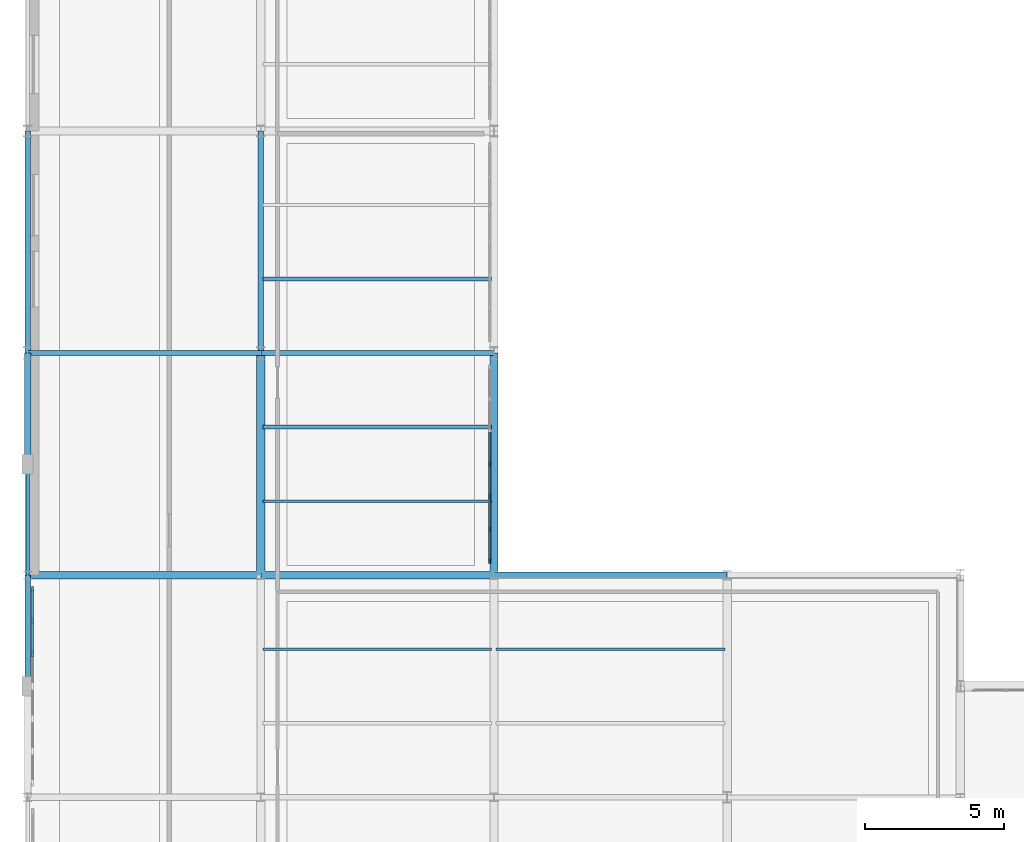
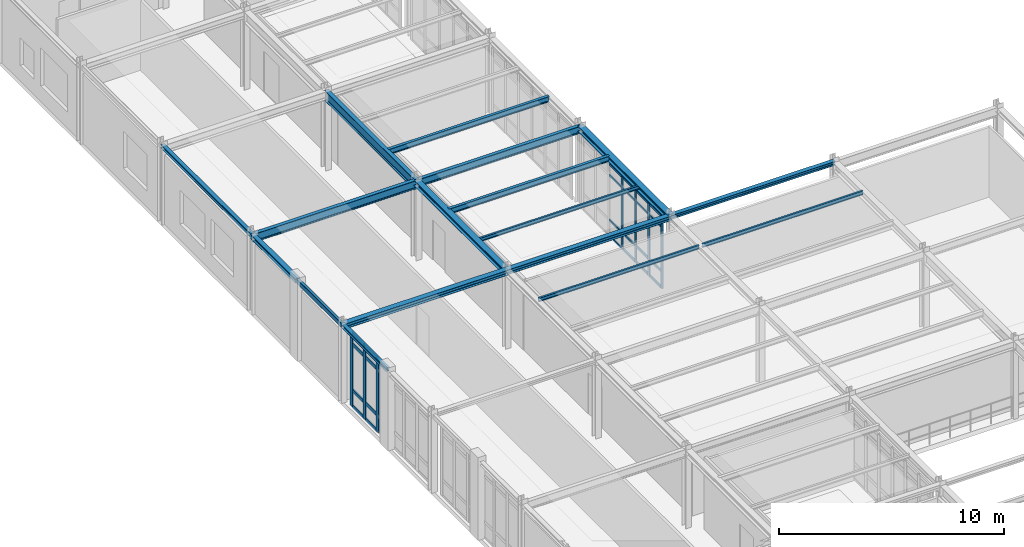
# One storey, part 44 of 106: 31 members, 17 beams, 2 elements without a shape of their own.
"""IFC4 building model written with IfcOpenShell, lengths in metres."""

from ifc_helpers import new_model, si_unit, derived_unit, direction, frame, origin, origin_2d, place, context, subcontext, project, spatial, rectangle, hollow_rectangle, i_section, extrude, material, layer, layer_set, material_profile, profile_set, type_object, element, aggregate, save


model = new_model("IFC4")

# Units and contexts
model_context = context("Model", 3, precision=1e-05, world=origin(), true_north=direction((0.0, 1.0)))
body_context = subcontext(model_context, "Body", "Model", "MODEL_VIEW")
ifc_project = project(units=[si_unit("LENGTHUNIT", "METRE"), si_unit("AREAUNIT", "SQUARE_METRE"), si_unit("VOLUMEUNIT", "CUBIC_METRE"), si_unit("PLANEANGLEUNIT", "RADIAN"), si_unit("MASSUNIT", "GRAM", prefix="KILO"), derived_unit("THERMALTRANSMITTANCEUNIT", [(si_unit("POWERUNIT", "WATT"), 1), (si_unit("AREAUNIT", "SQUARE_METRE"), -1), (si_unit("THERMODYNAMICTEMPERATUREUNIT", "KELVIN"), -1)])], contexts=[model_context])

# Site, building, storey
site_placement = place(None, origin())
site = spatial("IfcSite", under=ifc_project, at=site_placement, CompositionType="ELEMENT")
building_placement = place(site_placement, origin())
building = spatial("IfcBuilding", under=site, at=building_placement, Name="Yasenodar Specialist Clinic", CompositionType="ELEMENT")
storey_placement = place(building_placement, frame((0.0, 0.0, 4.5)))
storey = spatial("IfcBuildingStorey", under=building, at=storey_placement, Name="L01", CompositionType="ELEMENT", Elevation=4.5)

# Beams
ifc_material_1 = material(Name="Steel S355", Category="steel")
ifc_material_profile_1 = material_profile(ifc_material_1, i_section(OverallWidth=0.219970703125, OverallDepth=0.2099609375, WebThickness=0.007080078125, FlangeThickness=0.010986328125, FilletRadius=0.01806640625, at=origin_2d()), Name="HEA 220")
ifc_profile_set_1 = profile_set([ifc_material_profile_1], Name="Steel S355")
beam_type_1 = type_object("IfcBeamType", Name="BM-HEA220", PredefinedType="BEAM", material=ifc_profile_set_1)
beam_1_placement = place(storey_placement, frame((16.800048828125, 66.800048828125, 4.14501953125), z_axis=(1.0, 0.0, 0.0), x_axis=(0.0, 1.0, 0.0)))
element("IfcBeam", 1, at=beam_1_placement, inside=storey, type_object=beam_type_1, Name="L01 Primary E-W Girder", PredefinedType="BEAM", context=body_context, shape_type="SweptSolid", body=[
    extrude(i_section(OverallWidth=0.219970703125, OverallDepth=0.2099609375, WebThickness=0.007080078125, FlangeThickness=0.010986328125, FilletRadius=0.01806640625, at=origin_2d()), origin(), (0.0, 0.0, 1.0), 8.39990234375),
])
ifc_material_profile_2 = material_profile(ifc_material_1, i_section(OverallWidth=0.260009765625, OverallDepth=0.25, WebThickness=0.007568359375, FlangeThickness=0.012451171875, FilletRadius=0.02392578125, at=origin_2d()), Name="HEA 260")
ifc_profile_set_2 = profile_set([ifc_material_profile_2], Name="Steel S355")
beam_type_2 = type_object("IfcBeamType", Name="BM-HEA260", PredefinedType="BEAM", material=ifc_profile_set_2)
beam_2_placement = place(storey_placement, frame((8.39990234375, 66.800048828125, 4.125), z_axis=(1.0, 0.0, 0.0), x_axis=(0.0, 1.0, 0.0)))
element("IfcBeam", 2, at=beam_2_placement, inside=storey, type_object=beam_type_2, Name="L01 Primary E-W Girder", PredefinedType="BEAM", context=body_context, shape_type="SweptSolid", body=[
    extrude(i_section(OverallWidth=0.260009765625, OverallDepth=0.25, WebThickness=0.007568359375, FlangeThickness=0.012451171875, FilletRadius=0.02392578125, at=origin_2d()), origin(), (0.0, 0.0, 1.0), 8.400146484375),
])
ifc_material_profile_3 = material_profile(ifc_material_1, i_section(OverallWidth=0.280029296875, OverallDepth=0.27001953125, WebThickness=0.008056640625, FlangeThickness=0.012939453125, FilletRadius=0.02392578125, at=origin_2d()), Name="HEA 280")
ifc_profile_set_3 = profile_set([ifc_material_profile_3], Name="Steel S355")
beam_type_3 = type_object("IfcBeamType", Name="BM-HEA280", PredefinedType="BEAM", material=ifc_profile_set_3)
beam_3_placement = place(storey_placement, frame((0.0, 66.800048828125, 4.114990234375), z_axis=(1.0, 0.0, 0.0), x_axis=(0.0, 1.0, 0.0)))
element("IfcBeam", 3, at=beam_3_placement, inside=storey, type_object=beam_type_3, Name="L01 Primary E-W Girder", PredefinedType="BEAM", context=body_context, shape_type="SweptSolid", body=[
    extrude(i_section(OverallWidth=0.280029296875, OverallDepth=0.27001953125, WebThickness=0.008056640625, FlangeThickness=0.012939453125, FilletRadius=0.02392578125, at=origin_2d()), origin(), (0.0, 0.0, 1.0), 8.39990234375),
])
ifc_material_profile_4 = material_profile(ifc_material_1, i_section(OverallWidth=0.300048828125, OverallDepth=0.2900390625, WebThickness=0.008544921875, FlangeThickness=0.013916015625, FilletRadius=0.027099609375, at=origin_2d()), Name="HEA 300")
ifc_profile_set_4 = profile_set([ifc_material_profile_4], Name="Steel S355")
beam_type_4 = type_object("IfcBeamType", Name="BM-HEA300", PredefinedType="BEAM", material=ifc_profile_set_4)
beam_4_placement = place(storey_placement, frame((8.39990234375, 66.800048828125, 4.10498046875), z_axis=(0.0, 1.0, 0.0), x_axis=(-1.0, 0.0, 0.0)))
element("IfcBeam", 4, at=beam_4_placement, inside=storey, type_object=beam_type_4, Name="L01 Primary N-S Girder", PredefinedType="BEAM", context=body_context, shape_type="SweptSolid", body=[
    extrude(i_section(OverallWidth=0.300048828125, OverallDepth=0.2900390625, WebThickness=0.008544921875, FlangeThickness=0.013916015625, FilletRadius=0.027099609375, at=origin_2d()), origin(), (0.0, 0.0, 1.0), 8.0),
])
ifc_material_profile_5 = material_profile(ifc_material_1, i_section(OverallWidth=0.300048828125, OverallDepth=0.300048828125, WebThickness=0.010986328125, FlangeThickness=0.01904296875, FilletRadius=0.027099609375, at=origin_2d()), Name="HEB 300")
ifc_profile_set_5 = profile_set([ifc_material_profile_5], Name="Steel S355")
beam_type_5 = type_object("IfcBeamType", Name="BM-HEB300", PredefinedType="BEAM", material=ifc_profile_set_5)
beam_5_placement = place(storey_placement, frame((16.800048828125, 66.800048828125, 4.10009765625), z_axis=(0.0, 1.0, 0.0), x_axis=(-1.0, 0.0, 0.0)))
element("IfcBeam", 5, at=beam_5_placement, inside=storey, type_object=beam_type_5, Name="L01 Primary N-S Girder", PredefinedType="BEAM", context=body_context, shape_type="SweptSolid", body=[
    extrude(i_section(OverallWidth=0.300048828125, OverallDepth=0.300048828125, WebThickness=0.010986328125, FlangeThickness=0.01904296875, FilletRadius=0.027099609375, at=origin_2d()), origin(), (0.0, 0.0, 1.0), 8.0),
])
ifc_material_profile_6 = material_profile(ifc_material_1, i_section(OverallWidth=0.179931640625, OverallDepth=0.39990234375, WebThickness=0.008544921875, FlangeThickness=0.013427734375, FilletRadius=0.02099609375, at=origin_2d()), Name="IPE 400")
ifc_profile_set_6 = profile_set([ifc_material_profile_6], Name="Steel S355")
beam_type_6 = type_object("IfcBeamType", Name="BM-IPE400", PredefinedType="BEAM", material=ifc_profile_set_6)
beam_6_placement = place(storey_placement, frame((8.39990234375, 74.800048828125, 4.050048828125), z_axis=(1.0, 0.0, 0.0), x_axis=(0.0, 1.0, 0.0)))
element("IfcBeam", 6, at=beam_6_placement, inside=storey, type_object=beam_type_6, Name="L01 Primary E-W Girder", PredefinedType="BEAM", context=body_context, shape_type="SweptSolid", body=[
    extrude(i_section(OverallWidth=0.179931640625, OverallDepth=0.39990234375, WebThickness=0.008544921875, FlangeThickness=0.013427734375, FilletRadius=0.02099609375, at=origin_2d()), origin(), (0.0, 0.0, 1.0), 8.400146484375),
])
ifc_material_profile_7 = material_profile(ifc_material_1, i_section(OverallWidth=0.18994140625, OverallDepth=0.449951171875, WebThickness=0.009521484375, FlangeThickness=0.0146484375, FilletRadius=0.02099609375, at=origin_2d()), Name="IPE 450")
ifc_profile_set_7 = profile_set([ifc_material_profile_7], Name="Steel S355")
beam_type_7 = type_object("IfcBeamType", Name="BM-IPE450", PredefinedType="BEAM", material=ifc_profile_set_7)
beam_7_placement = place(storey_placement, frame((0.0, 74.800048828125, 4.02490234375), z_axis=(1.0, 0.0, 0.0), x_axis=(0.0, 1.0, 0.0)))
element("IfcBeam", 7, at=beam_7_placement, inside=storey, type_object=beam_type_7, Name="L01 Primary E-W Girder", PredefinedType="BEAM", context=body_context, shape_type="SweptSolid", body=[
    extrude(i_section(OverallWidth=0.18994140625, OverallDepth=0.449951171875, WebThickness=0.009521484375, FlangeThickness=0.0146484375, FilletRadius=0.02099609375, at=origin_2d()), origin(), (0.0, 0.0, 1.0), 8.39990234375),
])
ifc_material_profile_8 = material_profile(ifc_material_1, i_section(OverallWidth=0.2099609375, OverallDepth=0.550048828125, WebThickness=0.010986328125, FlangeThickness=0.01708984375, FilletRadius=0.02392578125, at=origin_2d()), Name="IPE 550")
ifc_profile_set_8 = profile_set([ifc_material_profile_8], Name="Steel S355")
beam_type_8 = type_object("IfcBeamType", Name="BM-IPE550", PredefinedType="BEAM", material=ifc_profile_set_8)
beam_8_placement = place(storey_placement, frame((8.39990234375, 74.800048828125, 3.97509765625), z_axis=(0.0, 1.0, 0.0), x_axis=(-1.0, 0.0, 0.0)))
element("IfcBeam", 8, at=beam_8_placement, inside=storey, type_object=beam_type_8, Name="L01 Primary N-S Girder", PredefinedType="BEAM", context=body_context, shape_type="SweptSolid", body=[
    extrude(i_section(OverallWidth=0.2099609375, OverallDepth=0.550048828125, WebThickness=0.010986328125, FlangeThickness=0.01708984375, FilletRadius=0.02392578125, at=origin_2d()), origin(), (0.0, 0.0, 1.0), 8.0),
])

# Curtain wall, members
ifc_material_2 = material(Name="Bronze Anodized Aluminium and Triple Low-E Glass", Category="aluminium")
ifc_layer_1 = layer(ifc_material_2, 0.202880859375)
ifc_layer_set_1 = layer_set([ifc_layer_1], Name="Bronze Anodized Aluminium and Triple Low-E Glass")
curtain_wall_type_1 = type_object("IfcCurtainWallType", Name="CW-SYS-04", PredefinedType="USERDEFINED", material=ifc_layer_set_1)
curtain_wall_1_placement = place(storey_placement, origin())
curtain_wall_1 = element("IfcCurtainWall", 9, at=curtain_wall_1_placement, inside=storey, type_object=curtain_wall_type_1, Name="L01 Unitised Curtain Wall 124", ObjectType="UNITISED CURTAIN WALL", PredefinedType="USERDEFINED")
ifc_material_3 = material(Name="Bronze Anodized Aluminium", Category="aluminium")
ifc_material_profile_9 = material_profile(ifc_material_3, rectangle(XDim=0.06005859375, YDim=0.159912109375, at=origin_2d()), Name="CW-MULL 60x160")
ifc_profile_set_9 = profile_set([ifc_material_profile_9], Name="Bronze Anodized Aluminium")
member_type_1 = type_object("IfcMemberType", Name="CW-MULL-160", PredefinedType="MULLION", material=ifc_profile_set_9)
member_1_placement = place(storey_placement, frame((16.64990234375, 70.800048828125, 0.0), z_axis=(0.0, 0.0, 1.0), x_axis=(1.0, 0.0, 0.0)))
member_1 = element("IfcMember", 10, at=member_1_placement, type_object=member_type_1, Name="CW-04 mullion 4", PredefinedType="MULLION", context=body_context, shape_type="SweptSolid", body=[
    extrude(rectangle(XDim=0.06005859375, YDim=0.159912109375, at=origin_2d()), origin(), (0.0, 0.0, 1.0), 3.927978515625),
])
member_2_placement = place(storey_placement, frame((16.64990234375, 69.626708984375, 0.0), z_axis=(0.0, 0.0, 1.0), x_axis=(1.0, 0.0, 0.0)))
member_2 = element("IfcMember", 11, at=member_2_placement, type_object=member_type_1, Name="CW-04 mullion 5", PredefinedType="MULLION", context=body_context, shape_type="SweptSolid", body=[
    extrude(rectangle(XDim=0.06005859375, YDim=0.159912109375, at=origin_2d()), origin(), (0.0, 0.0, 1.0), 3.927978515625),
])
member_3_placement = place(storey_placement, frame((16.64990234375, 68.453369140625, 0.0), z_axis=(0.0, 0.0, 1.0), x_axis=(1.0, 0.0, 0.0)))
member_3 = element("IfcMember", 12, at=member_3_placement, type_object=member_type_1, Name="CW-04 mullion 6", PredefinedType="MULLION", context=body_context, shape_type="SweptSolid", body=[
    extrude(rectangle(XDim=0.06005859375, YDim=0.159912109375, at=origin_2d()), origin(), (0.0, 0.0, 1.0), 3.927978515625),
])
member_4_placement = place(storey_placement, frame((16.64990234375, 67.31005859375, 0.0), z_axis=(0.0, 0.0, 1.0), x_axis=(1.0, 0.0, 0.0)))
member_4 = element("IfcMember", 13, at=member_4_placement, type_object=member_type_1, Name="CW-04 mullion 7", PredefinedType="MULLION", context=body_context, shape_type="SweptSolid", body=[
    extrude(rectangle(XDim=0.06005859375, YDim=0.159912109375, at=origin_2d()), origin(), (0.0, 0.0, 1.0), 3.927978515625),
])

ifc_layer_2 = layer(ifc_material_2, 0.22705078125)
ifc_layer_set_2 = layer_set([ifc_layer_2], Name="Bronze Anodized Aluminium and Triple Low-E Glass")
curtain_wall_type_2 = type_object("IfcCurtainWallType", Name="CW-SYS-06", PredefinedType="USERDEFINED", material=ifc_layer_set_2)
curtain_wall_2_placement = place(storey_placement, origin())
curtain_wall_2 = element("IfcCurtainWall", 14, at=curtain_wall_2_placement, inside=storey, type_object=curtain_wall_type_2, Name="L01 Unitised Curtain Wall 120", ObjectType="UNITISED CURTAIN WALL", PredefinedType="USERDEFINED")
ifc_material_profile_10 = material_profile(ifc_material_3, rectangle(XDim=0.074951171875, YDim=0.22509765625, at=origin_2d()), Name="CW-MULL 75x225")
ifc_profile_set_10 = profile_set([ifc_material_profile_10], Name="Bronze Anodized Aluminium")
member_type_2 = type_object("IfcMemberType", Name="CW-MULL-225", PredefinedType="MULLION", material=ifc_profile_set_10)
member_5_placement = place(storey_placement, frame((0.179931640625, 63.973388671875, 0.0), z_axis=(0.0, 0.0, 1.0), x_axis=(-1.0, 0.0, 0.0)))
member_5 = element("IfcMember", 15, at=member_5_placement, type_object=member_type_2, Name="CW-06 mullion 5", PredefinedType="MULLION", context=body_context, shape_type="SweptSolid", body=[
    extrude(rectangle(XDim=0.074951171875, YDim=0.22509765625, at=origin_2d()), origin(), (0.0, 0.0, 1.0), 3.998046875),
])
member_6_placement = place(storey_placement, frame((0.179931640625, 65.146728515625, 0.0), z_axis=(0.0, 0.0, 1.0), x_axis=(-1.0, 0.0, 0.0)))
member_6 = element("IfcMember", 16, at=member_6_placement, type_object=member_type_2, Name="CW-06 mullion 6", PredefinedType="MULLION", context=body_context, shape_type="SweptSolid", body=[
    extrude(rectangle(XDim=0.074951171875, YDim=0.22509765625, at=origin_2d()), origin(), (0.0, 0.0, 1.0), 3.998046875),
])
member_7_placement = place(storey_placement, frame((0.179931640625, 66.282470703125, 0.0), z_axis=(0.0, 0.0, 1.0), x_axis=(-1.0, 0.0, 0.0)))
member_7 = element("IfcMember", 17, at=member_7_placement, type_object=member_type_2, Name="CW-06 mullion 7", PredefinedType="MULLION", context=body_context, shape_type="SweptSolid", body=[
    extrude(rectangle(XDim=0.074951171875, YDim=0.22509765625, at=origin_2d()), origin(), (0.0, 0.0, 1.0), 3.998046875),
])

# Member
ifc_material_profile_11 = material_profile(ifc_material_3, rectangle(XDim=0.06005859375, YDim=0.1201171875, at=origin_2d()), Name="CW-TRAN 60x120")
ifc_profile_set_11 = profile_set([ifc_material_profile_11], Name="Bronze Anodized Aluminium")
member_type_3 = type_object("IfcMemberType", Name="CW-TRAN-120", PredefinedType="USERDEFINED", material=ifc_profile_set_11)
member_8_placement = place(storey_placement, frame((16.64990234375, 71.943359375, 0.030029296875), z_axis=(0.0, -1.0, 0.0), x_axis=(1.0, 0.0, 0.0)))
member_8 = element("IfcMember", 18, at=member_8_placement, type_object=member_type_3, Name="CW-04 transom 3.1", ObjectType="TRANSOM", PredefinedType="USERDEFINED", context=body_context, shape_type="SweptSolid", body=[
    extrude(rectangle(XDim=0.06005859375, YDim=0.1201171875, at=origin_2d()), origin(), (0.0, 0.0, 1.0), 1.11328125),
])

member_9_placement = place(storey_placement, frame((16.64990234375, 71.943359375, 0.89990234375), z_axis=(0.0, -1.0, 0.0), x_axis=(1.0, 0.0, 0.0)))
member_9 = element("IfcMember", 19, at=member_9_placement, type_object=member_type_3, Name="CW-04 transom 3.2", ObjectType="TRANSOM", PredefinedType="USERDEFINED", context=body_context, shape_type="SweptSolid", body=[
    extrude(rectangle(XDim=0.06005859375, YDim=0.1201171875, at=origin_2d()), origin(), (0.0, 0.0, 1.0), 1.11328125),
])

member_10_placement = place(storey_placement, frame((16.64990234375, 71.943359375, 3.327880859375), z_axis=(0.0, -1.0, 0.0), x_axis=(1.0, 0.0, 0.0)))
member_10 = element("IfcMember", 20, at=member_10_placement, type_object=member_type_3, Name="CW-04 transom 3.3", ObjectType="TRANSOM", PredefinedType="USERDEFINED", context=body_context, shape_type="SweptSolid", body=[
    extrude(rectangle(XDim=0.06005859375, YDim=0.1201171875, at=origin_2d()), origin(), (0.0, 0.0, 1.0), 1.11328125),
])

member_11_placement = place(storey_placement, frame((16.64990234375, 71.943359375, 3.89794921875), z_axis=(0.0, -1.0, 0.0), x_axis=(1.0, 0.0, 0.0)))
member_11 = element("IfcMember", 21, at=member_11_placement, type_object=member_type_3, Name="CW-04 transom 3.4", ObjectType="TRANSOM", PredefinedType="USERDEFINED", context=body_context, shape_type="SweptSolid", body=[
    extrude(rectangle(XDim=0.06005859375, YDim=0.1201171875, at=origin_2d()), origin(), (0.0, 0.0, 1.0), 1.11328125),
])

member_12_placement = place(storey_placement, frame((16.64990234375, 70.77001953125, 0.030029296875), z_axis=(0.0, -1.0, 0.0), x_axis=(1.0, 0.0, 0.0)))
member_12 = element("IfcMember", 22, at=member_12_placement, type_object=member_type_3, Name="CW-04 transom 4.1", ObjectType="TRANSOM", PredefinedType="USERDEFINED", context=body_context, shape_type="SweptSolid", body=[
    extrude(rectangle(XDim=0.06005859375, YDim=0.1201171875, at=origin_2d()), origin(), (0.0, 0.0, 1.0), 1.11328125),
])

member_13_placement = place(storey_placement, frame((16.64990234375, 70.77001953125, 0.89990234375), z_axis=(0.0, -1.0, 0.0), x_axis=(1.0, 0.0, 0.0)))
member_13 = element("IfcMember", 23, at=member_13_placement, type_object=member_type_3, Name="CW-04 transom 4.2", ObjectType="TRANSOM", PredefinedType="USERDEFINED", context=body_context, shape_type="SweptSolid", body=[
    extrude(rectangle(XDim=0.06005859375, YDim=0.1201171875, at=origin_2d()), origin(), (0.0, 0.0, 1.0), 1.11328125),
])

member_14_placement = place(storey_placement, frame((16.64990234375, 70.77001953125, 3.327880859375), z_axis=(0.0, -1.0, 0.0), x_axis=(1.0, 0.0, 0.0)))
member_14 = element("IfcMember", 24, at=member_14_placement, type_object=member_type_3, Name="CW-04 transom 4.3", ObjectType="TRANSOM", PredefinedType="USERDEFINED", context=body_context, shape_type="SweptSolid", body=[
    extrude(rectangle(XDim=0.06005859375, YDim=0.1201171875, at=origin_2d()), origin(), (0.0, 0.0, 1.0), 1.11328125),
])

member_15_placement = place(storey_placement, frame((16.64990234375, 70.77001953125, 3.89794921875), z_axis=(0.0, -1.0, 0.0), x_axis=(1.0, 0.0, 0.0)))
member_15 = element("IfcMember", 25, at=member_15_placement, type_object=member_type_3, Name="CW-04 transom 4.4", ObjectType="TRANSOM", PredefinedType="USERDEFINED", context=body_context, shape_type="SweptSolid", body=[
    extrude(rectangle(XDim=0.06005859375, YDim=0.1201171875, at=origin_2d()), origin(), (0.0, 0.0, 1.0), 1.11328125),
])

member_16_placement = place(storey_placement, frame((16.64990234375, 69.5966796875, 0.030029296875), z_axis=(0.0, -1.0, 0.0), x_axis=(1.0, 0.0, 0.0)))
member_16 = element("IfcMember", 26, at=member_16_placement, type_object=member_type_3, Name="CW-04 transom 5.1", ObjectType="TRANSOM", PredefinedType="USERDEFINED", context=body_context, shape_type="SweptSolid", body=[
    extrude(rectangle(XDim=0.06005859375, YDim=0.1201171875, at=origin_2d()), origin(), (0.0, 0.0, 1.0), 1.11328125),
])

member_17_placement = place(storey_placement, frame((16.64990234375, 69.5966796875, 0.89990234375), z_axis=(0.0, -1.0, 0.0), x_axis=(1.0, 0.0, 0.0)))
member_17 = element("IfcMember", 27, at=member_17_placement, type_object=member_type_3, Name="CW-04 transom 5.2", ObjectType="TRANSOM", PredefinedType="USERDEFINED", context=body_context, shape_type="SweptSolid", body=[
    extrude(rectangle(XDim=0.06005859375, YDim=0.1201171875, at=origin_2d()), origin(), (0.0, 0.0, 1.0), 1.11328125),
])

member_18_placement = place(storey_placement, frame((16.64990234375, 69.5966796875, 3.327880859375), z_axis=(0.0, -1.0, 0.0), x_axis=(1.0, 0.0, 0.0)))
member_18 = element("IfcMember", 28, at=member_18_placement, type_object=member_type_3, Name="CW-04 transom 5.3", ObjectType="TRANSOM", PredefinedType="USERDEFINED", context=body_context, shape_type="SweptSolid", body=[
    extrude(rectangle(XDim=0.06005859375, YDim=0.1201171875, at=origin_2d()), origin(), (0.0, 0.0, 1.0), 1.11328125),
])

member_19_placement = place(storey_placement, frame((16.64990234375, 69.5966796875, 3.89794921875), z_axis=(0.0, -1.0, 0.0), x_axis=(1.0, 0.0, 0.0)))
member_19 = element("IfcMember", 29, at=member_19_placement, type_object=member_type_3, Name="CW-04 transom 5.4", ObjectType="TRANSOM", PredefinedType="USERDEFINED", context=body_context, shape_type="SweptSolid", body=[
    extrude(rectangle(XDim=0.06005859375, YDim=0.1201171875, at=origin_2d()), origin(), (0.0, 0.0, 1.0), 1.11328125),
])

member_20_placement = place(storey_placement, frame((16.64990234375, 68.42333984375, 0.030029296875), z_axis=(0.0, -1.0, 0.0), x_axis=(1.0, 0.0, 0.0)))
member_20 = element("IfcMember", 30, at=member_20_placement, type_object=member_type_3, Name="CW-04 transom 6.1", ObjectType="TRANSOM", PredefinedType="USERDEFINED", context=body_context, shape_type="SweptSolid", body=[
    extrude(rectangle(XDim=0.06005859375, YDim=0.1201171875, at=origin_2d()), origin(), (0.0, 0.0, 1.0), 1.083251953125),
])

member_21_placement = place(storey_placement, frame((16.64990234375, 68.42333984375, 0.89990234375), z_axis=(0.0, -1.0, 0.0), x_axis=(1.0, 0.0, 0.0)))
member_21 = element("IfcMember", 31, at=member_21_placement, type_object=member_type_3, Name="CW-04 transom 6.2", ObjectType="TRANSOM", PredefinedType="USERDEFINED", context=body_context, shape_type="SweptSolid", body=[
    extrude(rectangle(XDim=0.06005859375, YDim=0.1201171875, at=origin_2d()), origin(), (0.0, 0.0, 1.0), 1.083251953125),
])

member_22_placement = place(storey_placement, frame((16.64990234375, 68.42333984375, 3.327880859375), z_axis=(0.0, -1.0, 0.0), x_axis=(1.0, 0.0, 0.0)))
member_22 = element("IfcMember", 32, at=member_22_placement, type_object=member_type_3, Name="CW-04 transom 6.3", ObjectType="TRANSOM", PredefinedType="USERDEFINED", context=body_context, shape_type="SweptSolid", body=[
    extrude(rectangle(XDim=0.06005859375, YDim=0.1201171875, at=origin_2d()), origin(), (0.0, 0.0, 1.0), 1.083251953125),
])

member_23_placement = place(storey_placement, frame((16.64990234375, 68.42333984375, 3.89794921875), z_axis=(0.0, -1.0, 0.0), x_axis=(1.0, 0.0, 0.0)))
member_23 = element("IfcMember", 33, at=member_23_placement, type_object=member_type_3, Name="CW-04 transom 6.4", ObjectType="TRANSOM", PredefinedType="USERDEFINED", context=body_context, shape_type="SweptSolid", body=[
    extrude(rectangle(XDim=0.06005859375, YDim=0.1201171875, at=origin_2d()), origin(), (0.0, 0.0, 1.0), 1.083251953125),
])

aggregate(curtain_wall_1, [member_1, member_2, member_3, member_4, member_8, member_9, member_10, member_11, member_12, member_13, member_14, member_15, member_16, member_17, member_18, member_19, member_20, member_21, member_22, member_23])

ifc_material_profile_12 = material_profile(ifc_material_3, rectangle(XDim=0.074951171875, YDim=0.175048828125, at=origin_2d()), Name="CW-TRAN 75x175")
ifc_profile_set_12 = profile_set([ifc_material_profile_12], Name="Bronze Anodized Aluminium")
member_type_4 = type_object("IfcMemberType", Name="CW-TRAN-175", PredefinedType="USERDEFINED", material=ifc_profile_set_12)
member_24_placement = place(storey_placement, frame((0.179931640625, 64.0107421875, 0.03759765625), z_axis=(0.0, 1.0, 0.0), x_axis=(-1.0, 0.0, 0.0)))
member_24 = element("IfcMember", 34, at=member_24_placement, type_object=member_type_4, Name="CW-06 transom 5.1", ObjectType="TRANSOM", PredefinedType="USERDEFINED", context=body_context, shape_type="SweptSolid", body=[
    extrude(rectangle(XDim=0.074951171875, YDim=0.175048828125, at=origin_2d()), origin(), (0.0, 0.0, 1.0), 1.098388671875),
])

member_25_placement = place(storey_placement, frame((0.179931640625, 64.0107421875, 0.89990234375), z_axis=(0.0, 1.0, 0.0), x_axis=(-1.0, 0.0, 0.0)))
member_25 = element("IfcMember", 35, at=member_25_placement, type_object=member_type_4, Name="CW-06 transom 5.2", ObjectType="TRANSOM", PredefinedType="USERDEFINED", context=body_context, shape_type="SweptSolid", body=[
    extrude(rectangle(XDim=0.074951171875, YDim=0.175048828125, at=origin_2d()), origin(), (0.0, 0.0, 1.0), 1.098388671875),
])

member_26_placement = place(storey_placement, frame((0.179931640625, 64.0107421875, 3.39794921875), z_axis=(0.0, 1.0, 0.0), x_axis=(-1.0, 0.0, 0.0)))
member_26 = element("IfcMember", 36, at=member_26_placement, type_object=member_type_4, Name="CW-06 transom 5.3", ObjectType="TRANSOM", PredefinedType="USERDEFINED", context=body_context, shape_type="SweptSolid", body=[
    extrude(rectangle(XDim=0.074951171875, YDim=0.175048828125, at=origin_2d()), origin(), (0.0, 0.0, 1.0), 1.098388671875),
])

member_27_placement = place(storey_placement, frame((0.179931640625, 64.0107421875, 3.96044921875), z_axis=(0.0, 1.0, 0.0), x_axis=(-1.0, 0.0, 0.0)))
member_27 = element("IfcMember", 37, at=member_27_placement, type_object=member_type_4, Name="CW-06 transom 5.4", ObjectType="TRANSOM", PredefinedType="USERDEFINED", context=body_context, shape_type="SweptSolid", body=[
    extrude(rectangle(XDim=0.074951171875, YDim=0.175048828125, at=origin_2d()), origin(), (0.0, 0.0, 1.0), 1.098388671875),
])

member_28_placement = place(storey_placement, frame((0.179931640625, 65.18408203125, 0.03759765625), z_axis=(0.0, 1.0, 0.0), x_axis=(-1.0, 0.0, 0.0)))
member_28 = element("IfcMember", 38, at=member_28_placement, type_object=member_type_4, Name="CW-06 transom 6.1", ObjectType="TRANSOM", PredefinedType="USERDEFINED", context=body_context, shape_type="SweptSolid", body=[
    extrude(rectangle(XDim=0.074951171875, YDim=0.175048828125, at=origin_2d()), origin(), (0.0, 0.0, 1.0), 1.06103515625),
])

member_29_placement = place(storey_placement, frame((0.179931640625, 65.18408203125, 0.89990234375), z_axis=(0.0, 1.0, 0.0), x_axis=(-1.0, 0.0, 0.0)))
member_29 = element("IfcMember", 39, at=member_29_placement, type_object=member_type_4, Name="CW-06 transom 6.2", ObjectType="TRANSOM", PredefinedType="USERDEFINED", context=body_context, shape_type="SweptSolid", body=[
    extrude(rectangle(XDim=0.074951171875, YDim=0.175048828125, at=origin_2d()), origin(), (0.0, 0.0, 1.0), 1.06103515625),
])

member_30_placement = place(storey_placement, frame((0.179931640625, 65.18408203125, 3.39794921875), z_axis=(0.0, 1.0, 0.0), x_axis=(-1.0, 0.0, 0.0)))
member_30 = element("IfcMember", 40, at=member_30_placement, type_object=member_type_4, Name="CW-06 transom 6.3", ObjectType="TRANSOM", PredefinedType="USERDEFINED", context=body_context, shape_type="SweptSolid", body=[
    extrude(rectangle(XDim=0.074951171875, YDim=0.175048828125, at=origin_2d()), origin(), (0.0, 0.0, 1.0), 1.06103515625),
])

member_31_placement = place(storey_placement, frame((0.179931640625, 65.18408203125, 3.96044921875), z_axis=(0.0, 1.0, 0.0), x_axis=(-1.0, 0.0, 0.0)))
member_31 = element("IfcMember", 41, at=member_31_placement, type_object=member_type_4, Name="CW-06 transom 6.4", ObjectType="TRANSOM", PredefinedType="USERDEFINED", context=body_context, shape_type="SweptSolid", body=[
    extrude(rectangle(XDim=0.074951171875, YDim=0.175048828125, at=origin_2d()), origin(), (0.0, 0.0, 1.0), 1.06103515625),
])

aggregate(curtain_wall_2, [member_5, member_6, member_7, member_24, member_25, member_26, member_27, member_28, member_29, member_30, member_31])

# Beams
ifc_material_profile_13 = material_profile(ifc_material_1, i_section(OverallWidth=0.10009765625, OverallDepth=0.199951171875, WebThickness=0.005615234375, FlangeThickness=0.008544921875, FilletRadius=0.011962890625, at=origin_2d()), Name="IPE 200")
ifc_profile_set_13 = profile_set([ifc_material_profile_13], Name="Steel S355")
beam_type_9 = type_object("IfcBeamType", Name="JS-IPE200", PredefinedType="JOIST", material=ifc_profile_set_13)
for number, where, z_axis, x_axis, name in (
    (42, (8.47998046875, 64.13330078125, 4.14990234375), (1.0, 0.0, 0.0), (0.0, 1.0, 0.0), "L01 Composite Floor Joist"),
    (43, (8.47998046875, 69.466796875, 4.14990234375), (1.0, 0.0, 0.0), (0.0, 1.0, 0.0), "L01 Composite Floor Joist"),
):
    element("IfcBeam", number, at=place(storey_placement, frame(where, z_axis=z_axis, x_axis=x_axis)), inside=storey, type_object=beam_type_9, Name=name, PredefinedType="JOIST", context=body_context, shape_type="SweptSolid", body=[
        extrude(i_section(OverallWidth=0.10009765625, OverallDepth=0.199951171875, WebThickness=0.005615234375, FlangeThickness=0.008544921875, FilletRadius=0.011962890625, at=origin_2d()), origin(), (0.0, 0.0, 1.0), 8.239990234375),
    ])
beam_9_placement = place(storey_placement, frame((16.8798828125, 64.13330078125, 4.14990234375), z_axis=(1.0, 0.0, 0.0), x_axis=(0.0, 1.0, 0.0)))
element("IfcBeam", 44, at=beam_9_placement, inside=storey, type_object=beam_type_9, Name="L01 Composite Floor Joist", PredefinedType="JOIST", context=body_context, shape_type="SweptSolid", body=[
    extrude(i_section(OverallWidth=0.10009765625, OverallDepth=0.199951171875, WebThickness=0.005615234375, FlangeThickness=0.008544921875, FilletRadius=0.011962890625, at=origin_2d()), origin(), (0.0, 0.0, 1.0), 8.240234375),
])
ifc_material_profile_14 = material_profile(ifc_material_1, i_section(OverallWidth=0.14990234375, OverallDepth=0.300048828125, WebThickness=0.007080078125, FlangeThickness=0.0107421875, FilletRadius=0.014892578125, at=origin_2d()), Name="IPE 300")
ifc_profile_set_14 = profile_set([ifc_material_profile_14], Name="Steel S355")
beam_type_10 = type_object("IfcBeamType", Name="JS-IPE300", PredefinedType="JOIST", material=ifc_profile_set_14)
for number, where, z_axis, x_axis, name in (
    (45, (8.47998046875, 72.13330078125, 4.10009765625), (1.0, 0.0, 0.0), (0.0, 1.0, 0.0), "L01 Composite Floor Joist"),
    (46, (8.47998046875, 77.466796875, 4.10009765625), (1.0, 0.0, 0.0), (0.0, 1.0, 0.0), "L01 Composite Floor Joist"),
):
    element("IfcBeam", number, at=place(storey_placement, frame(where, z_axis=z_axis, x_axis=x_axis)), inside=storey, type_object=beam_type_10, Name=name, PredefinedType="JOIST", context=body_context, shape_type="SweptSolid", body=[
        extrude(i_section(OverallWidth=0.14990234375, OverallDepth=0.300048828125, WebThickness=0.007080078125, FlangeThickness=0.0107421875, FilletRadius=0.014892578125, at=origin_2d()), origin(), (0.0, 0.0, 1.0), 8.239990234375),
    ])
ifc_material_profile_15 = material_profile(ifc_material_1, i_section(OverallWidth=0.199951171875, OverallDepth=0.18994140625, WebThickness=0.006591796875, FlangeThickness=0.010009765625, FilletRadius=0.01806640625, at=origin_2d()), Name="HEA 200")
ifc_profile_set_15 = profile_set([ifc_material_profile_15], Name="Steel S355")
beam_type_11 = type_object("IfcBeamType", Name="SP-HEA200", PredefinedType="SPANDREL", material=ifc_profile_set_15)
beam_10_placement = place(storey_placement, frame((0.0, 62.800048828125, 4.155029296875), z_axis=(0.0, 1.0, 0.0), x_axis=(-1.0, 0.0, 0.0)))
element("IfcBeam", 47, at=beam_10_placement, inside=storey, type_object=beam_type_11, Name="L01 Perimeter Spandrel Beam", PredefinedType="SPANDREL", context=body_context, shape_type="SweptSolid", body=[
    extrude(i_section(OverallWidth=0.199951171875, OverallDepth=0.18994140625, WebThickness=0.006591796875, FlangeThickness=0.010009765625, FilletRadius=0.01806640625, at=origin_2d()), origin(), (0.0, 0.0, 1.0), 4.0),
])
beam_11_placement = place(storey_placement, frame((0.0, 74.800048828125, 4.155029296875), z_axis=(0.0, 1.0, 0.0), x_axis=(-1.0, 0.0, 0.0)))
element("IfcBeam", 48, at=beam_11_placement, inside=storey, type_object=beam_type_11, Name="L01 Perimeter Spandrel Beam", PredefinedType="SPANDREL", context=body_context, shape_type="SweptSolid", body=[
    extrude(i_section(OverallWidth=0.199951171875, OverallDepth=0.18994140625, WebThickness=0.006591796875, FlangeThickness=0.010009765625, FilletRadius=0.01806640625, at=origin_2d()), origin(), (0.0, 0.0, 1.0), 8.0),
])
ifc_material_profile_16 = material_profile(ifc_material_1, i_section(OverallWidth=0.239990234375, OverallDepth=0.22998046875, WebThickness=0.007568359375, FlangeThickness=0.011962890625, FilletRadius=0.02099609375, at=origin_2d()), Name="HEA 240")
ifc_profile_set_16 = profile_set([ifc_material_profile_16], Name="Steel S355")
beam_type_12 = type_object("IfcBeamType", Name="SP-HEA240", PredefinedType="SPANDREL", material=ifc_profile_set_16)
beam_12_placement = place(storey_placement, frame((0.0, 70.800048828125, 4.135009765625), z_axis=(0.0, 1.0, 0.0), x_axis=(-1.0, 0.0, 0.0)))
element("IfcBeam", 49, at=beam_12_placement, inside=storey, type_object=beam_type_12, Name="L01 Perimeter Spandrel Beam", PredefinedType="SPANDREL", context=body_context, shape_type="SweptSolid", body=[
    extrude(i_section(OverallWidth=0.239990234375, OverallDepth=0.22998046875, WebThickness=0.007568359375, FlangeThickness=0.011962890625, FilletRadius=0.02099609375, at=origin_2d()), origin(), (0.0, 0.0, 1.0), 4.0),
])
ifc_material_profile_17 = material_profile(ifc_material_1, hollow_rectangle(XDim=0.14990234375, YDim=0.25, WallThickness=0.010009765625, InnerFilletRadius=0.014892578125, OuterFilletRadius=0.02490234375, at=origin_2d()), Name="RHS 250x150x10")
ifc_profile_set_17 = profile_set([ifc_material_profile_17], Name="Steel S355")
beam_type_13 = type_object("IfcBeamType", Name="SP-RHS250", PredefinedType="SPANDREL", material=ifc_profile_set_17)
beam_13_placement = place(storey_placement, frame((0.0, 66.800048828125, 4.125), z_axis=(0.0, 1.0, 0.0), x_axis=(-1.0, 0.0, 0.0)))
element("IfcBeam", 50, at=beam_13_placement, inside=storey, type_object=beam_type_13, Name="L01 Perimeter Spandrel Beam", PredefinedType="SPANDREL", context=body_context, shape_type="SweptSolid", body=[
    extrude(hollow_rectangle(XDim=0.14990234375, YDim=0.25, WallThickness=0.010009765625, InnerFilletRadius=0.014892578125, OuterFilletRadius=0.02490234375, at=origin_2d()), origin(), (0.0, 0.0, 1.0), 4.0),
])

save(model, "model.ifc")
